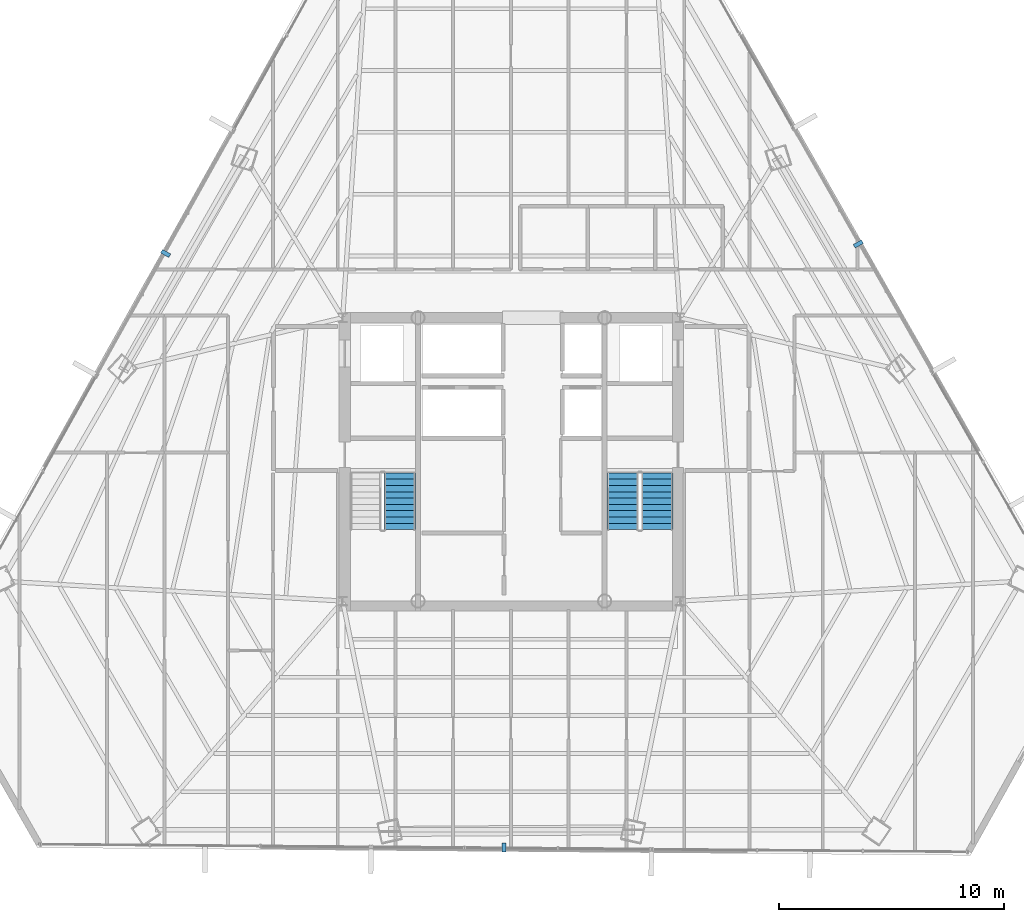
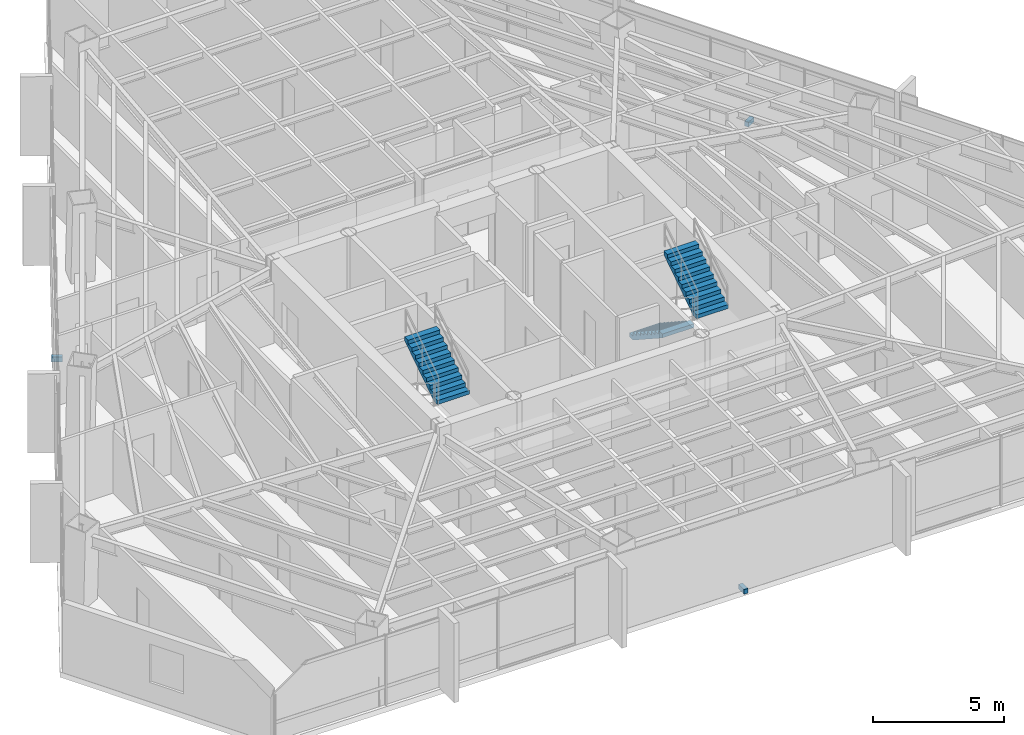
# One storey, part 37 of 40: 3 discrete accessories, 3 stair flights, 2 elements without a shape of their own.
"""IFC4 building model written with IfcOpenShell, lengths in metres."""

from ifc_helpers import new_model, si_unit, direction, frame, origin, origin_2d, place, context, subcontext, project, spatial, polyline, rectangle, outline, extrude, source, transform, mapped, material, type_object, type_shapes, element, aggregate, save


model = new_model("IFC4")

# Units and contexts
model_context = context("Model", 3, precision=1e-05, world=origin(), true_north=direction((0.0, 1.0)))
body_context = subcontext(model_context, "Body", "Model", "MODEL_VIEW")
ifc_project = project(units=[si_unit("LENGTHUNIT", "METRE"), si_unit("AREAUNIT", "SQUARE_METRE"), si_unit("VOLUMEUNIT", "CUBIC_METRE"), si_unit("PLANEANGLEUNIT", "RADIAN"), si_unit("MASSUNIT", "GRAM", prefix="KILO")], contexts=[model_context])

# Site, building, storey
site_placement = place(None, origin())
site = spatial("IfcSite", under=ifc_project, at=site_placement, CompositionType="ELEMENT")
building_placement = place(site_placement, origin())
building = spatial("IfcBuilding", under=site, at=building_placement, Name="Caelisora Broadcast Tower", CompositionType="ELEMENT")
storey_placement = place(building_placement, frame((0.0, 0.0, 146.39990234375)))
storey = spatial("IfcBuildingStorey", under=building, at=storey_placement, Name="L38", CompositionType="ELEMENT", Elevation=146.39990234375)

# Stair, stair flight
ifc_material_1 = material(Name="Concrete 40 MPa (AS 3600 N40)", Category="concrete")
stair_type_1 = type_object("IfcStairType", Name="ST-1", PredefinedType="HALF_TURN_STAIR", material=ifc_material_1)
stair_1_placement = place(storey_placement, origin())
stair_1 = element("IfcStair", 1, at=stair_1_placement, inside=storey, type_object=stair_type_1, Name="L38 West Fire-Isolated Tower Stair", PredefinedType="HALF_TURN_STAIR")
stair_flight_type = type_object("IfcStairFlightType", Name="STF-3", PredefinedType="STRAIGHT", material=ifc_material_1)
stair_flight_1_placement = place(storey_placement, frame((33.0400390625, 20.580078125, 1.8251953125), z_axis=(0.0, 0.0, 1.0), x_axis=(0.0, 1.0, 0.0)))
stair_flight_1 = element("IfcStairFlight", 2, at=stair_flight_1_placement, type_object=stair_flight_type, Name="ST-1 flight 2", NumberOfRisers=10, NumberOfTreads=9, PredefinedType="STRAIGHT", RiserHeight=0.1825, TreadLength=0.28, context=body_context, shape_type="SweptSolid", body=[
    extrude(outline(polyline([(0.0, 0.0), (0.0, 0.1826171875), (0.280029296875, 0.1826171875), (0.280029296875, 0.364990234375), (0.56005859375, 0.364990234375), (0.56005859375, 0.547607421875), (0.840087890625, 0.547607421875), (0.840087890625, 0.72998046875), (1.1201171875, 0.72998046875), (1.1201171875, 0.91259765625), (1.39990234375, 0.91259765625), (1.39990234375, 1.094970703125), (1.679931640625, 1.094970703125), (1.679931640625, 1.277587890625), (1.9599609375, 1.277587890625), (1.9599609375, 1.4599609375), (2.239990234375, 1.4599609375), (2.239990234375, 1.642578125), (2.52001953125, 1.642578125), (2.52001953125, 1.824951171875), (2.52001953125, 1.463623046875), (0.2744140625, 0.0), (0.0, 0.0)])), frame((0.0, 0.699951171875, 0.0), z_axis=(0.0, -1.0, 0.0), x_axis=(1.0, 0.0, 0.0)), (0.0, 0.0, 1.0), 1.39990234375),
])
aggregate(stair_1, [stair_flight_1])

# Stair, stair flights
stair_type_2 = type_object("IfcStairType", Name="ST-2", PredefinedType="HALF_TURN_STAIR", material=ifc_material_1)
stair_2_placement = place(storey_placement, origin())
stair_2 = element("IfcStair", 3, at=stair_2_placement, inside=storey, type_object=stair_type_2, Name="L38 East Fire-Isolated Tower Stair", PredefinedType="HALF_TURN_STAIR")
stair_flight_2_placement = place(storey_placement, frame((42.9599609375, 23.10009765625, 0.0), z_axis=(0.0, 0.0, 1.0), x_axis=(0.0, -1.0, 0.0)))
stair_flight_2 = element("IfcStairFlight", 4, at=stair_flight_2_placement, type_object=stair_flight_type, Name="ST-2 flight 1", NumberOfRisers=10, NumberOfTreads=9, PredefinedType="STRAIGHT", RiserHeight=0.1825, TreadLength=0.28, context=body_context, shape_type="SweptSolid", body=[
    extrude(outline(polyline([(0.0, 0.0), (0.0, 0.1826171875), (0.280029296875, 0.1826171875), (0.280029296875, 0.364990234375), (0.56005859375, 0.364990234375), (0.56005859375, 0.547607421875), (0.840087890625, 0.547607421875), (0.840087890625, 0.72998046875), (1.1201171875, 0.72998046875), (1.1201171875, 0.91259765625), (1.39990234375, 0.91259765625), (1.39990234375, 1.094970703125), (1.679931640625, 1.094970703125), (1.679931640625, 1.277587890625), (1.9599609375, 1.277587890625), (1.9599609375, 1.4599609375), (2.239990234375, 1.4599609375), (2.239990234375, 1.642578125), (2.52001953125, 1.642578125), (2.52001953125, 1.824951171875), (2.52001953125, 1.463623046875), (0.2744140625, 0.0), (0.0, 0.0)])), frame((0.0, 0.699951171875, 0.0), z_axis=(0.0, -1.0, 0.0), x_axis=(1.0, 0.0, 0.0)), (0.0, 0.0, 1.0), 1.39990234375),
])
stair_flight_3_placement = place(storey_placement, frame((44.47998046875, 20.580078125, 1.8251953125), z_axis=(0.0, 0.0, 1.0), x_axis=(0.0, 1.0, 0.0)))
stair_flight_3 = element("IfcStairFlight", 5, at=stair_flight_3_placement, type_object=stair_flight_type, Name="ST-2 flight 2", NumberOfRisers=10, NumberOfTreads=9, PredefinedType="STRAIGHT", RiserHeight=0.1825, TreadLength=0.28, context=body_context, shape_type="SweptSolid", body=[
    extrude(outline(polyline([(0.0, 0.0), (0.0, 0.1826171875), (0.280029296875, 0.1826171875), (0.280029296875, 0.364990234375), (0.56005859375, 0.364990234375), (0.56005859375, 0.547607421875), (0.840087890625, 0.547607421875), (0.840087890625, 0.72998046875), (1.1201171875, 0.72998046875), (1.1201171875, 0.91259765625), (1.39990234375, 0.91259765625), (1.39990234375, 1.094970703125), (1.679931640625, 1.094970703125), (1.679931640625, 1.277587890625), (1.9599609375, 1.277587890625), (1.9599609375, 1.4599609375), (2.239990234375, 1.4599609375), (2.239990234375, 1.642578125), (2.52001953125, 1.642578125), (2.52001953125, 1.824951171875), (2.52001953125, 1.463623046875), (0.2744140625, 0.0), (0.0, 0.0)])), frame((0.0, 0.699951171875, 0.0), z_axis=(0.0, -1.0, 0.0), x_axis=(1.0, 0.0, 0.0)), (0.0, 0.0, 1.0), 1.39990234375),
])
aggregate(stair_2, [stair_flight_2, stair_flight_3])

# Discrete accessories
ifc_material_2 = material(Name="Steel Grade 350 (AS/NZS 3679.1)", Category="steel")
discrete_accessory_type = type_object("IfcDiscreteAccessoryType", Name="BRK-1", PredefinedType="BRACKET", material=ifc_material_2)
shared_shape = source(origin(), body_context, "Body", "SweptSolid", [
    extrude(rectangle(XDim=0.179931640625, YDim=0.419921875, at=origin_2d()), origin(), (0.0, 0.0, 1.0), 0.219970703125),
])
type_shapes(discrete_accessory_type, [shared_shape])
for number, where, z_axis, x_axis, name in (
    (6, (22.628662109375, 32.858642578125, -0.15966796875), (0.0, 0.0, 1.0), (-0.487707298065, -0.873007211547, 0.0), "L38 solar screen outrigger bracket #1"),
    (7, (37.67138671875, 6.43994140625, -0.15966796875), (0.0, 0.0, 1.0), (0.999966355195, -0.008202955488, 0.0), "L38 solar screen outrigger bracket #2"),
    (8, (53.43212890625, 33.281982421875, -0.15966796875), (0.0, 0.0, 1.0), (-0.494852128545, 0.868977198133, 0.0), "L38 solar screen outrigger bracket #3"),
):
    element("IfcDiscreteAccessory", number, at=place(storey_placement, frame(where, z_axis=z_axis, x_axis=x_axis)), inside=storey, type_object=discrete_accessory_type, Name=name, PredefinedType="BRACKET", context=body_context, shape_type="MappedRepresentation", body=[
        mapped(shared_shape, transform((0.0, 0.0, 0.0), scale=1.0)),
    ])

save(model, "model.ifc")
